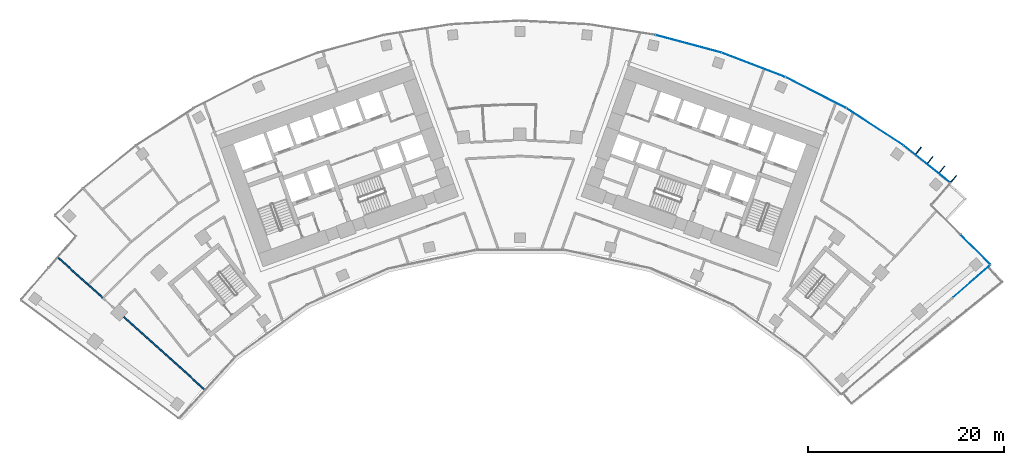
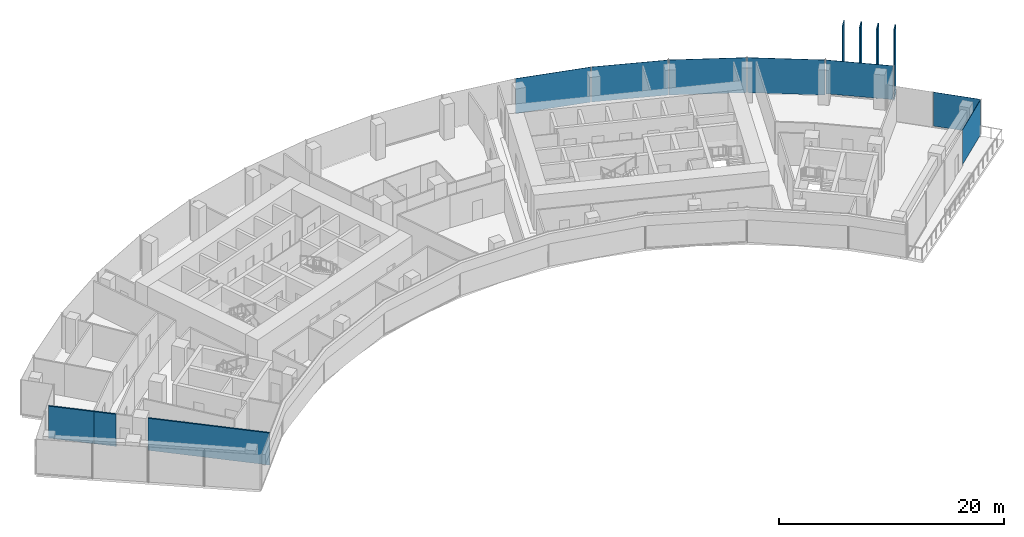
# One storey, part 12 of 20: 11 plates, 3 walls, 3 elements without a shape of their own.
"""IFC4 building model written with IfcOpenShell, lengths in metres."""

from ifc_helpers import new_model, si_unit, direction, frame, frame_2d, origin, origin_2d, place, context, subcontext, project, spatial, rectangle, extrude, material, layer, layer_set, type_object, element, aggregate, save


model = new_model("IFC4")

# Units and contexts
model_context = context("Model", 3, precision=1e-05, world=origin(), true_north=direction((0.0, 1.0)))
body_context = subcontext(model_context, "Body", "Model", "MODEL_VIEW")
ifc_project = project(units=[si_unit("LENGTHUNIT", "METRE"), si_unit("AREAUNIT", "SQUARE_METRE"), si_unit("VOLUMEUNIT", "CUBIC_METRE"), si_unit("PLANEANGLEUNIT", "RADIAN"), si_unit("MASSUNIT", "GRAM", prefix="KILO")], contexts=[model_context])

# Site, building, storey
site_placement = place(None, origin())
site = spatial("IfcSite", under=ifc_project, at=site_placement, CompositionType="ELEMENT")
building_placement = place(site_placement, origin())
building = spatial("IfcBuilding", under=site, at=building_placement, Name="Stone Belt Terrace Tower", CompositionType="ELEMENT")
storey_placement = place(building_placement, frame((0.0, 0.0, 170.60009765625)))
storey = spatial("IfcBuildingStorey", under=building, at=storey_placement, Name="L41", CompositionType="ELEMENT", Elevation=170.60009765625)

# Curtain wall, plates
ifc_material_1 = material(Name="Aluminium 6063-T6 anodised frame", Category="aluminium")
ifc_layer_1 = layer(ifc_material_1, 0.14990234375)
ifc_layer_set_1 = layer_set([ifc_layer_1], Name="CW-A unitised convex-face curtain wall")
curtain_wall_type_1 = type_object("IfcCurtainWallType", Name="CW-A unitised convex-face curtain wall", PredefinedType="NOTDEFINED", material=ifc_layer_set_1)
curtain_wall_1_placement = place(storey_placement, origin())
curtain_wall_1 = element("IfcCurtainWall", 1, at=curtain_wall_1_placement, inside=storey, type_object=curtain_wall_type_1, Name="CW-A convex face L41", PredefinedType="NOTDEFINED")
ifc_material_2 = material(Name="Clear double glazed unit")
ifc_layer_2 = layer(ifc_material_2, 0.031982421875)
ifc_layer_set_2 = layer_set([ifc_layer_2], Name="CW-A glass panel 32")
plate_type_1 = type_object("IfcPlateType", Name="CW-A glass panel 32", PredefinedType="CURTAIN_PANEL", material=ifc_layer_set_2)
plate_1_placement = place(storey_placement, frame((41.508544921875, 51.962890625, 0.14013671875), z_axis=(0.0, 0.0, 1.0), x_axis=(-0.7814794641, 0.62393096348, 0.0)))
plate_1 = element("IfcPlate", 2, at=plate_1_placement, type_object=plate_type_1, Name="CW-A panel 1.1", PredefinedType="CURTAIN_PANEL", context=body_context, shape_type="SweptSolid", body=[
    extrude(rectangle(XDim=6.015625, YDim=0.031982421875, at=origin_2d()), origin(), (0.0, 0.0, 1.0), 3.659912109375),
])
plate_2_placement = place(storey_placement, frame((36.209716796875, 55.758056640625, 0.0), z_axis=(0.0, 0.0, 1.0), x_axis=(-0.838670567945, 0.544639035015, 0.0)))
plate_2 = element("IfcPlate", 3, at=plate_2_placement, type_object=plate_type_1, Name="CW-A panel 2.1", PredefinedType="CURTAIN_PANEL", context=body_context, shape_type="SweptSolid", body=[
    extrude(rectangle(XDim=6.90087890625, YDim=0.031982421875, at=origin_2d()), origin(), (0.0, 0.0, 1.0), 3.800048828125),
])
plate_3_placement = place(storey_placement, frame((30.18310546875, 59.237548828125, 0.0), z_axis=(0.0, 0.0, 1.0), x_axis=(-0.891006524188, 0.45399049974, 0.0)))
plate_3 = element("IfcPlate", 4, at=plate_3_placement, type_object=plate_type_1, Name="CW-A panel 3.1", PredefinedType="CURTAIN_PANEL", context=body_context, shape_type="SweptSolid", body=[
    extrude(rectangle(XDim=6.90087890625, YDim=0.031982421875, at=origin_2d()), origin(), (0.0, 0.0, 1.0), 3.800048828125),
])
plate_4_placement = place(storey_placement, frame((23.82568359375, 62.068115234375, 0.0), z_axis=(0.0, 0.0, 1.0), x_axis=(-0.933580426497, 0.358367949545, 0.0)))
plate_4 = element("IfcPlate", 5, at=plate_4_placement, type_object=plate_type_1, Name="CW-A panel 4.1", PredefinedType="CURTAIN_PANEL", context=body_context, shape_type="SweptSolid", body=[
    extrude(rectangle(XDim=6.90087890625, YDim=0.031982421875, at=origin_2d()), origin(), (0.0, 0.0, 1.0), 3.800048828125),
])
plate_5_placement = place(storey_placement, frame((17.207275390625, 64.218505859375, 0.0), z_axis=(0.0, 0.0, 1.0), x_axis=(-0.965925826289, 0.258819045103, 0.0)))
plate_5 = element("IfcPlate", 6, at=plate_5_placement, type_object=plate_type_1, Name="CW-A panel 5.1", PredefinedType="CURTAIN_PANEL", context=body_context, shape_type="SweptSolid", body=[
    extrude(rectangle(XDim=6.90087890625, YDim=0.031982421875, at=origin_2d()), origin(), (0.0, 0.0, 1.0), 3.800048828125),
])
aggregate(curtain_wall_1, [plate_1, plate_2, plate_3, plate_4, plate_5])

# Curtain wall, plate
ifc_layer_3 = layer(ifc_material_1, 0.14990234375)
ifc_layer_set_3 = layer_set([ifc_layer_3], Name="CW-C stick curtain wall, horn ends and notches")
curtain_wall_type_2 = type_object("IfcCurtainWallType", Name="CW-C stick curtain wall, horn ends and notches", PredefinedType="NOTDEFINED", material=ifc_layer_set_3)
curtain_wall_2_placement = place(storey_placement, origin())
curtain_wall_2 = element("IfcCurtainWall", 7, at=curtain_wall_2_placement, inside=storey, type_object=curtain_wall_type_2, Name="CW-C end face L41", PredefinedType="NOTDEFINED")
ifc_layer_4 = layer(ifc_material_2, 0.028076171875)
ifc_layer_set_4 = layer_set([ifc_layer_4], Name="CW-C glass panel 28")
plate_type_2 = type_object("IfcPlateType", Name="CW-C glass panel 28", PredefinedType="CURTAIN_PANEL", material=ifc_layer_set_4)
plate_6_placement = place(storey_placement, frame((46.072998046875, 40.005126953125, 0.0), z_axis=(0.0, 0.0, 1.0), x_axis=(0.754272557058, 0.65656142871, 0.0)))
plate_6 = element("IfcPlate", 8, at=plate_6_placement, type_object=plate_type_2, Name="CW-C panel 4.1", PredefinedType="CURTAIN_PANEL", context=body_context, shape_type="SweptSolid", body=[
    extrude(rectangle(XDim=4.974853515625, YDim=0.028076171875, at=origin_2d()), origin(), (0.0, 0.0, 1.0), 3.800048828125),
])
aggregate(curtain_wall_2, [plate_6])

curtain_wall_3_placement = place(storey_placement, origin())
curtain_wall_3 = element("IfcCurtainWall", 9, at=curtain_wall_3_placement, inside=storey, type_object=curtain_wall_type_2, Name="CW-C notch face L41", PredefinedType="NOTDEFINED")
plate_7_placement = place(storey_placement, frame((46.446044921875, 43.25244140625, 0.1201171875), z_axis=(0.0, 0.0, 1.0), x_axis=(-0.706060821703, 0.70815119576, 0.0)))
plate_7 = element("IfcPlate", 10, at=plate_7_placement, type_object=plate_type_2, Name="CW-C panel 1.1", PredefinedType="CURTAIN_PANEL", context=body_context, shape_type="SweptSolid", body=[
    extrude(rectangle(XDim=4.268798828125, YDim=0.028076171875, at=origin_2d()), origin(), (0.0, 0.0, 1.0), 3.679931640625),
])
aggregate(curtain_wall_3, [plate_7])

# Plates
ifc_material_3 = material(Name="Terracotta coloured glazed ceramic", Category="masonry")
ifc_layer_5 = layer(ifc_material_3, 0.10009765625)
ifc_layer_set_5 = layer_set([ifc_layer_5], Name="Terracotta fin 100 x 900")
plate_type_3 = type_object("IfcPlateType", Name="Terracotta fin 100 x 900", PredefinedType="SHEET", material=ifc_layer_set_5)
for number, where, z_axis, x_axis, name in (
    (11, (44.2451171875, 50.44970703125, -0.000244140625), (0.0, 0.0, 1.0), (0.62393096348, 0.7814794641, 0.0), "FIN L41 1.1"),
    (12, (43.048583984375, 51.405029296875, -0.000244140625), (0.0, 0.0, 1.0), (0.62393096348, 0.7814794641, 0.0), "FIN L41 1.2"),
    (13, (41.85205078125, 52.3603515625, -0.000244140625), (0.0, 0.0, 1.0), (0.62393096348, 0.7814794641, 0.0), "FIN L41 1.3"),
    (14, (40.65576171875, 53.3154296875, -0.000244140625), (0.0, 0.0, 1.0), (0.62393096348, 0.7814794641, 0.0), "FIN L41 1.4"),
):
    element("IfcPlate", number, at=place(storey_placement, frame(where, z_axis=z_axis, x_axis=x_axis)), inside=storey, type_object=plate_type_3, Name=name, PredefinedType="SHEET", context=body_context, shape_type="SweptSolid", body=[
        extrude(rectangle(XDim=0.89990234375, YDim=0.10009765625, at=origin_2d()), origin(), (0.0, 0.0, 1.0), 7.60009765625),
    ])

# Walls
ifc_material_4 = material(Name="Gypsum board partition")
ifc_layer_6 = layer(ifc_material_4, 0.14990234375)
ifc_layer_set_6 = layer_set([ifc_layer_6], Name="PARTITION 150 EI 60")
wall_type = type_object("IfcWallType", Name="PARTITION 150 EI 60", PredefinedType="PARTITIONING", material=ifc_layer_set_6)
wall_1_placement = place(storey_placement, frame((-40.385986328125, 36.3642578125, 0.0), z_axis=(0.0, 0.0, 1.0), x_axis=(0.743128216334, -0.669149052221, 0.0)))
element("IfcWall", 15, at=wall_1_placement, inside=storey, type_object=wall_type, Name="L41/wall/i041", PredefinedType="PARTITIONING", context=body_context, shape_type="SweptSolid", body=[
    extrude(rectangle(XDim=11.048828125, YDim=0.14990234375, at=frame_2d((5.5244140625, 0.0))), origin(), (0.0, 0.0, 1.0), 3.47998046875),
])
wall_2_placement = place(storey_placement, frame((-44.032958984375, 39.64892578125, 0.0), z_axis=(0.0, 0.0, 1.0), x_axis=(0.742822489991, -0.669488422875, 0.0)))
element("IfcWall", 16, at=wall_2_placement, inside=storey, type_object=wall_type, Name="L41/wall/i042", PredefinedType="PARTITIONING", context=body_context, shape_type="SweptSolid", body=[
    extrude(rectangle(XDim=2.0341796875, YDim=0.14990234375, at=frame_2d((1.01708984375, 0.0))), origin(), (0.0, 0.0, 1.0), 3.47998046875),
])
wall_3_placement = place(storey_placement, frame((-47.09228515625, 42.40283203125, 0.0), z_axis=(0.0, 0.0, 1.0), x_axis=(0.743164720572, -0.669108509958, 0.0)))
element("IfcWall", 17, at=wall_3_placement, inside=storey, type_object=wall_type, Name="L41/wall/i043", PredefinedType="PARTITIONING", context=body_context, shape_type="SweptSolid", body=[
    extrude(rectangle(XDim=4.12744140625, YDim=0.14990234375, at=frame_2d((2.063720703125, 0.0))), origin(), (0.0, 0.0, 1.0), 3.47998046875),
])

save(model, "model.ifc")
